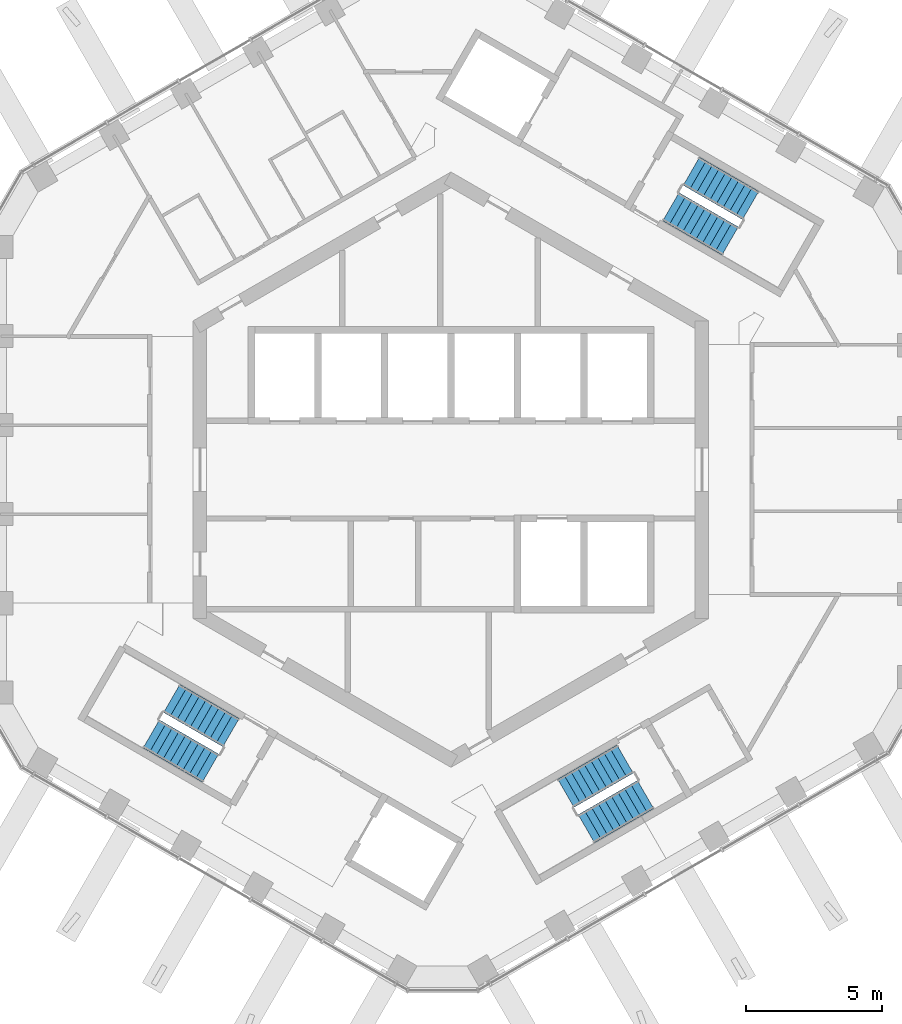
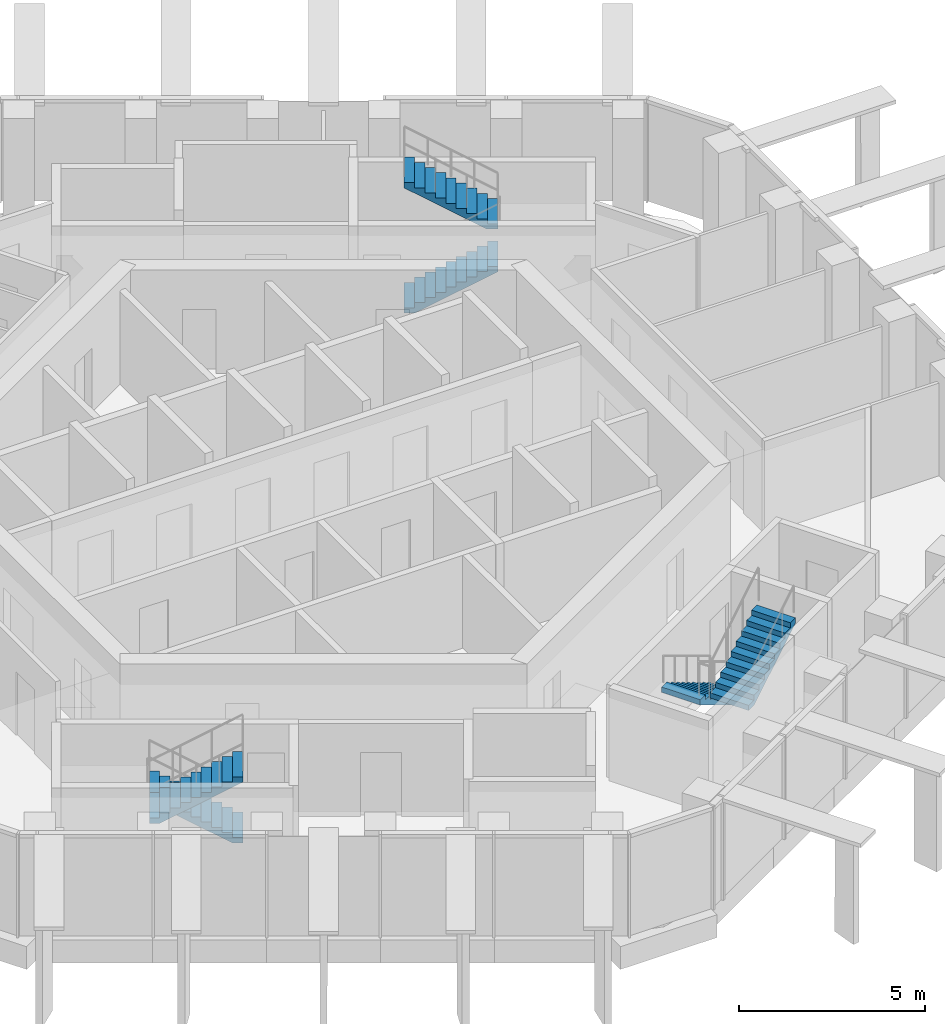
# One storey, part 15 of 19: 6 stair flights, 3 elements without a shape of their own.
"""IFC4 building model written with IfcOpenShell, lengths in metres."""

from ifc_helpers import new_model, si_unit, direction, frame, origin, place, context, subcontext, project, spatial, triangles, material, type_object, element, aggregate, save


model = new_model("IFC4")

# Units and contexts
model_context = context("Model", 3, precision=1e-05, world=origin(), true_north=direction((0.0, 1.0)))
body_context = subcontext(model_context, "Body", "Model", "MODEL_VIEW")
ifc_project = project(units=[si_unit("LENGTHUNIT", "METRE"), si_unit("AREAUNIT", "SQUARE_METRE"), si_unit("VOLUMEUNIT", "CUBIC_METRE"), si_unit("PLANEANGLEUNIT", "RADIAN"), si_unit("MASSUNIT", "GRAM", prefix="KILO")], contexts=[model_context])

# Site, building, storey
site_placement = place(None, origin())
site = spatial("IfcSite", under=ifc_project, at=site_placement, CompositionType="ELEMENT")
building_placement = place(site_placement, origin())
building = spatial("IfcBuilding", under=site, at=building_placement, Name="Ayvan Gate Tower", CompositionType="ELEMENT")
storey_placement = place(building_placement, frame((0.0, 0.0, 235.89990234375)))
storey = spatial("IfcBuildingStorey", under=building, at=storey_placement, Name="L63", CompositionType="ELEMENT", Elevation=235.89990234375)

# Stair, stair flights
ifc_material = material(Name="Concrete C40/50", Category="concrete")
stair_type = type_object("IfcStairType", Name="ST-EXIT", PredefinedType="HALF_TURN_STAIR", material=ifc_material)
stair_1_placement = place(storey_placement, origin())
stair_1 = element("IfcStair", 1, at=stair_1_placement, inside=storey, type_object=stair_type, Name="L63 Exit Stair S1", PredefinedType="HALF_TURN_STAIR")
stair_flight_type = type_object("IfcStairFlightType", Name="SFL-EXIT", PredefinedType="STRAIGHT", material=ifc_material)
stair_flight_1_placement = place(storey_placement, frame((8.106201171875, 9.690185546875, 0.0), z_axis=(0.0, 0.0, 1.0), x_axis=(0.866025403784, -0.5, 0.0)))
stair_flight_1 = element("IfcStairFlight", 2, at=stair_flight_1_placement, type_object=stair_flight_type, Name="STS1 flight 1", NumberOfRisers=10, NumberOfTreads=9, PredefinedType="STRAIGHT", RiserHeight=0.17, TreadLength=0.28, context=body_context, shape_type="Tessellation", body=[
    triangles([(0.288841, -0.599976, 0.0), (2.5205, -0.599976, 1.354936), (2.5205, -0.599976, 1.53), (2.24, -0.599976, 1.53), (2.24, -0.599976, 1.36), (1.96, -0.599976, 1.36), (1.96, -0.599976, 1.19), (1.68, -0.599976, 1.19), (1.68, -0.599976, 1.02), (1.4, -0.599976, 1.02), (1.4, -0.599976, 0.85), (1.12, -0.599976, 0.85), (1.12, -0.599976, 0.68), (0.84, -0.599976, 0.68), (0.84, -0.599976, 0.51), (0.56, -0.599976, 0.51), (0.56, -0.599976, 0.34), (0.28, -0.599976, 0.34), (0.28, -0.599976, 0.17), (-0.0005, -0.599976, 0.17), (-0.0005, -0.599976, 0.0), (0.288841, 0.0, 0.0), (2.5205, 0.0, 1.354936), (2.5205, 0.0, 1.53), (2.24, 0.0, 1.53), (2.24, 0.0, 1.36), (1.96, 0.0, 1.36), (1.96, 0.0, 1.19), (1.68, 0.0, 1.19), (1.68, 0.0, 1.02), (1.4, 0.0, 1.02), (1.4, 0.0, 0.85), (1.12, 0.0, 0.85), (1.12, 0.0, 0.68), (0.84, 0.0, 0.68), (0.84, 0.0, 0.51), (0.56, 0.0, 0.51), (0.56, 0.0, 0.34), (0.28, 0.0, 0.34), (0.28, 0.0, 0.17), (-0.0005, 0.0, 0.17), (-0.0005, 0.0, 0.0), (0.288841, 0.599976, 0.0), (2.5205, 0.599976, 1.354936), (2.5205, 0.599976, 1.53), (2.24, 0.599976, 1.53), (2.24, 0.599976, 1.36), (1.96, 0.599976, 1.36), (1.96, 0.599976, 1.19), (1.68, 0.599976, 1.19), (1.68, 0.599976, 1.02), (1.4, 0.599976, 1.02), (1.4, 0.599976, 0.85), (1.12, 0.599976, 0.85), (1.12, 0.599976, 0.68), (0.84, 0.599976, 0.68), (0.84, 0.599976, 0.51), (0.56, 0.599976, 0.51), (0.56, 0.599976, 0.34), (0.28, 0.599976, 0.34), (0.28, 0.599976, 0.17), (-0.0005, 0.599976, 0.17), (-0.0005, 0.599976, 0.0)], [[21, 1, 2], [63, 44, 43], [2, 3, 4], [44, 46, 45], [2, 4, 5], [44, 47, 46], [2, 5, 6], [44, 48, 47], [2, 6, 7], [44, 49, 48], [7, 8, 9], [49, 51, 50], [2, 7, 9], [44, 51, 49], [9, 10, 11], [51, 53, 52], [2, 9, 11], [44, 53, 51], [11, 12, 13], [53, 55, 54], [2, 11, 13], [44, 55, 53], [13, 14, 15], [55, 57, 56], [2, 13, 15], [44, 57, 55], [15, 16, 17], [57, 59, 58], [2, 15, 17], [44, 59, 57], [17, 18, 19], [59, 61, 60], [2, 17, 19], [44, 61, 59], [21, 2, 19], [63, 61, 44], [19, 20, 21], [61, 63, 62], [1, 22, 23], [1, 23, 2], [43, 23, 22], [43, 44, 23], [2, 23, 24], [2, 24, 3], [44, 24, 23], [44, 45, 24], [3, 24, 25], [3, 25, 4], [45, 25, 24], [45, 46, 25], [4, 25, 26], [4, 26, 5], [46, 26, 25], [46, 47, 26], [5, 26, 27], [5, 27, 6], [47, 27, 26], [47, 48, 27], [6, 27, 28], [6, 28, 7], [48, 28, 27], [48, 49, 28], [7, 28, 29], [7, 29, 8], [49, 29, 28], [49, 50, 29], [8, 29, 30], [8, 30, 9], [50, 30, 29], [50, 51, 30], [9, 30, 31], [9, 31, 10], [51, 31, 30], [51, 52, 31], [10, 31, 32], [10, 32, 11], [52, 32, 31], [52, 53, 32], [11, 32, 33], [11, 33, 12], [53, 33, 32], [53, 54, 33], [12, 33, 34], [12, 34, 13], [54, 34, 33], [54, 55, 34], [13, 34, 35], [13, 35, 14], [55, 35, 34], [55, 56, 35], [14, 35, 36], [14, 36, 15], [56, 36, 35], [56, 57, 36], [15, 36, 37], [15, 37, 16], [57, 37, 36], [57, 58, 37], [16, 37, 38], [16, 38, 17], [58, 38, 37], [58, 59, 38], [17, 38, 39], [17, 39, 18], [59, 39, 38], [59, 60, 39], [18, 39, 40], [18, 40, 19], [60, 40, 39], [60, 61, 40], [19, 40, 41], [19, 41, 20], [61, 41, 40], [61, 62, 41], [20, 41, 42], [20, 42, 21], [62, 42, 41], [62, 63, 42], [21, 42, 22], [21, 22, 1], [63, 22, 42], [63, 43, 22]], closed=True),
])
stair_flight_2_placement = place(storey_placement, frame((11.04345703125, 9.73779296875, 1.7001953125), z_axis=(0.0, 0.0, 1.0), x_axis=(-0.866025403784, 0.5, 0.0)))
stair_flight_2 = element("IfcStairFlight", 3, at=stair_flight_2_placement, type_object=stair_flight_type, Name="STS1 flight 2", NumberOfRisers=10, NumberOfTreads=9, PredefinedType="STRAIGHT", RiserHeight=0.17, TreadLength=0.28, context=body_context, shape_type="Tessellation", body=[
    triangles([(0.288841, -0.599976, 0.0), (2.5205, -0.599976, 1.354936), (2.5205, -0.599976, 1.53), (2.24, -0.599976, 1.53), (2.24, -0.599976, 1.36), (1.96, -0.599976, 1.36), (1.96, -0.599976, 1.19), (1.68, -0.599976, 1.19), (1.68, -0.599976, 1.02), (1.4, -0.599976, 1.02), (1.4, -0.599976, 0.85), (1.12, -0.599976, 0.85), (1.12, -0.599976, 0.68), (0.84, -0.599976, 0.68), (0.84, -0.599976, 0.51), (0.56, -0.599976, 0.51), (0.56, -0.599976, 0.34), (0.28, -0.599976, 0.34), (0.28, -0.599976, 0.17), (-0.0005, -0.599976, 0.17), (-0.0005, -0.599976, 0.0), (0.288841, 0.0, 0.0), (2.5205, 0.0, 1.354936), (2.5205, 0.0, 1.53), (2.24, 0.0, 1.53), (2.24, 0.0, 1.36), (1.96, 0.0, 1.36), (1.96, 0.0, 1.19), (1.68, 0.0, 1.19), (1.68, 0.0, 1.02), (1.4, 0.0, 1.02), (1.4, 0.0, 0.85), (1.12, 0.0, 0.85), (1.12, 0.0, 0.68), (0.84, 0.0, 0.68), (0.84, 0.0, 0.51), (0.56, 0.0, 0.51), (0.56, 0.0, 0.34), (0.28, 0.0, 0.34), (0.28, 0.0, 0.17), (-0.0005, 0.0, 0.17), (-0.0005, 0.0, 0.0), (0.288841, 0.599976, 0.0), (2.5205, 0.599976, 1.354936), (2.5205, 0.599976, 1.53), (2.24, 0.599976, 1.53), (2.24, 0.599976, 1.36), (1.96, 0.599976, 1.36), (1.96, 0.599976, 1.19), (1.68, 0.599976, 1.19), (1.68, 0.599976, 1.02), (1.4, 0.599976, 1.02), (1.4, 0.599976, 0.85), (1.12, 0.599976, 0.85), (1.12, 0.599976, 0.68), (0.84, 0.599976, 0.68), (0.84, 0.599976, 0.51), (0.56, 0.599976, 0.51), (0.56, 0.599976, 0.34), (0.28, 0.599976, 0.34), (0.28, 0.599976, 0.17), (-0.0005, 0.599976, 0.17), (-0.0005, 0.599976, 0.0)], [[21, 1, 2], [63, 44, 43], [2, 3, 4], [44, 46, 45], [2, 4, 5], [44, 47, 46], [2, 5, 6], [44, 48, 47], [2, 6, 7], [44, 49, 48], [7, 8, 9], [49, 51, 50], [2, 7, 9], [44, 51, 49], [9, 10, 11], [51, 53, 52], [2, 9, 11], [44, 53, 51], [11, 12, 13], [53, 55, 54], [2, 11, 13], [44, 55, 53], [13, 14, 15], [55, 57, 56], [2, 13, 15], [44, 57, 55], [15, 16, 17], [57, 59, 58], [2, 15, 17], [44, 59, 57], [17, 18, 19], [59, 61, 60], [2, 17, 19], [44, 61, 59], [21, 2, 19], [63, 61, 44], [19, 20, 21], [61, 63, 62], [1, 22, 23], [1, 23, 2], [43, 23, 22], [43, 44, 23], [2, 23, 24], [2, 24, 3], [44, 24, 23], [44, 45, 24], [3, 24, 25], [3, 25, 4], [45, 25, 24], [45, 46, 25], [4, 25, 26], [4, 26, 5], [46, 26, 25], [46, 47, 26], [5, 26, 27], [5, 27, 6], [47, 27, 26], [47, 48, 27], [6, 27, 28], [6, 28, 7], [48, 28, 27], [48, 49, 28], [7, 28, 29], [7, 29, 8], [49, 29, 28], [49, 50, 29], [8, 29, 30], [8, 30, 9], [50, 30, 29], [50, 51, 30], [9, 30, 31], [9, 31, 10], [51, 31, 30], [51, 52, 31], [10, 31, 32], [10, 32, 11], [52, 32, 31], [52, 53, 32], [11, 32, 33], [11, 33, 12], [53, 33, 32], [53, 54, 33], [12, 33, 34], [12, 34, 13], [54, 34, 33], [54, 55, 34], [13, 34, 35], [13, 35, 14], [55, 35, 34], [55, 56, 35], [14, 35, 36], [14, 36, 15], [56, 36, 35], [56, 57, 36], [15, 36, 37], [15, 37, 16], [57, 37, 36], [57, 58, 37], [16, 37, 38], [16, 38, 17], [58, 38, 37], [58, 59, 38], [17, 38, 39], [17, 39, 18], [59, 39, 38], [59, 60, 39], [18, 39, 40], [18, 40, 19], [60, 40, 39], [60, 61, 40], [19, 40, 41], [19, 41, 20], [61, 41, 40], [61, 62, 41], [20, 41, 42], [20, 42, 21], [62, 42, 41], [62, 63, 42], [21, 42, 22], [21, 22, 1], [63, 22, 42], [63, 43, 22]], closed=True),
])
aggregate(stair_1, [stair_flight_1, stair_flight_2])

stair_2_placement = place(storey_placement, origin())
stair_2 = element("IfcStair", 4, at=stair_2_placement, inside=storey, type_object=stair_type, Name="L63 Exit Stair S2", PredefinedType="HALF_TURN_STAIR")
stair_flight_3_placement = place(storey_placement, frame((-8.106201171875, -9.690185546875, 0.0), z_axis=(0.0, 0.0, 1.0), x_axis=(-0.866025403784, 0.5, 0.0)))
stair_flight_3 = element("IfcStairFlight", 5, at=stair_flight_3_placement, type_object=stair_flight_type, Name="STS2 flight 1", NumberOfRisers=10, NumberOfTreads=9, PredefinedType="STRAIGHT", RiserHeight=0.17, TreadLength=0.28, context=body_context, shape_type="Tessellation", body=[
    triangles([(0.288841, -0.599976, 0.0), (2.5205, -0.599976, 1.354936), (2.5205, -0.599976, 1.53), (2.24, -0.599976, 1.53), (2.24, -0.599976, 1.36), (1.96, -0.599976, 1.36), (1.96, -0.599976, 1.19), (1.68, -0.599976, 1.19), (1.68, -0.599976, 1.02), (1.4, -0.599976, 1.02), (1.4, -0.599976, 0.85), (1.12, -0.599976, 0.85), (1.12, -0.599976, 0.68), (0.84, -0.599976, 0.68), (0.84, -0.599976, 0.51), (0.56, -0.599976, 0.51), (0.56, -0.599976, 0.34), (0.28, -0.599976, 0.34), (0.28, -0.599976, 0.17), (-0.0005, -0.599976, 0.17), (-0.0005, -0.599976, 0.0), (0.288841, 0.0, 0.0), (2.5205, 0.0, 1.354936), (2.5205, 0.0, 1.53), (2.24, 0.0, 1.53), (2.24, 0.0, 1.36), (1.96, 0.0, 1.36), (1.96, 0.0, 1.19), (1.68, 0.0, 1.19), (1.68, 0.0, 1.02), (1.4, 0.0, 1.02), (1.4, 0.0, 0.85), (1.12, 0.0, 0.85), (1.12, 0.0, 0.68), (0.84, 0.0, 0.68), (0.84, 0.0, 0.51), (0.56, 0.0, 0.51), (0.56, 0.0, 0.34), (0.28, 0.0, 0.34), (0.28, 0.0, 0.17), (-0.0005, 0.0, 0.17), (-0.0005, 0.0, 0.0), (0.288841, 0.599976, 0.0), (2.5205, 0.599976, 1.354936), (2.5205, 0.599976, 1.53), (2.24, 0.599976, 1.53), (2.24, 0.599976, 1.36), (1.96, 0.599976, 1.36), (1.96, 0.599976, 1.19), (1.68, 0.599976, 1.19), (1.68, 0.599976, 1.02), (1.4, 0.599976, 1.02), (1.4, 0.599976, 0.85), (1.12, 0.599976, 0.85), (1.12, 0.599976, 0.68), (0.84, 0.599976, 0.68), (0.84, 0.599976, 0.51), (0.56, 0.599976, 0.51), (0.56, 0.599976, 0.34), (0.28, 0.599976, 0.34), (0.28, 0.599976, 0.17), (-0.0005, 0.599976, 0.17), (-0.0005, 0.599976, 0.0)], [[21, 1, 2], [63, 44, 43], [2, 3, 4], [44, 46, 45], [2, 4, 5], [44, 47, 46], [2, 5, 6], [44, 48, 47], [2, 6, 7], [44, 49, 48], [7, 8, 9], [49, 51, 50], [2, 7, 9], [44, 51, 49], [9, 10, 11], [51, 53, 52], [2, 9, 11], [44, 53, 51], [11, 12, 13], [53, 55, 54], [2, 11, 13], [44, 55, 53], [13, 14, 15], [55, 57, 56], [2, 13, 15], [44, 57, 55], [15, 16, 17], [57, 59, 58], [2, 15, 17], [44, 59, 57], [17, 18, 19], [59, 61, 60], [2, 17, 19], [44, 61, 59], [21, 2, 19], [63, 61, 44], [19, 20, 21], [61, 63, 62], [1, 22, 23], [1, 23, 2], [43, 23, 22], [43, 44, 23], [2, 23, 24], [2, 24, 3], [44, 24, 23], [44, 45, 24], [3, 24, 25], [3, 25, 4], [45, 25, 24], [45, 46, 25], [4, 25, 26], [4, 26, 5], [46, 26, 25], [46, 47, 26], [5, 26, 27], [5, 27, 6], [47, 27, 26], [47, 48, 27], [6, 27, 28], [6, 28, 7], [48, 28, 27], [48, 49, 28], [7, 28, 29], [7, 29, 8], [49, 29, 28], [49, 50, 29], [8, 29, 30], [8, 30, 9], [50, 30, 29], [50, 51, 30], [9, 30, 31], [9, 31, 10], [51, 31, 30], [51, 52, 31], [10, 31, 32], [10, 32, 11], [52, 32, 31], [52, 53, 32], [11, 32, 33], [11, 33, 12], [53, 33, 32], [53, 54, 33], [12, 33, 34], [12, 34, 13], [54, 34, 33], [54, 55, 34], [13, 34, 35], [13, 35, 14], [55, 35, 34], [55, 56, 35], [14, 35, 36], [14, 36, 15], [56, 36, 35], [56, 57, 36], [15, 36, 37], [15, 37, 16], [57, 37, 36], [57, 58, 37], [16, 37, 38], [16, 38, 17], [58, 38, 37], [58, 59, 38], [17, 38, 39], [17, 39, 18], [59, 39, 38], [59, 60, 39], [18, 39, 40], [18, 40, 19], [60, 40, 39], [60, 61, 40], [19, 40, 41], [19, 41, 20], [61, 41, 40], [61, 62, 41], [20, 41, 42], [20, 42, 21], [62, 42, 41], [62, 63, 42], [21, 42, 22], [21, 22, 1], [63, 22, 42], [63, 43, 22]], closed=True),
])
stair_flight_4_placement = place(storey_placement, frame((-11.04345703125, -9.73779296875, 1.7001953125), z_axis=(0.0, 0.0, 1.0), x_axis=(0.866025403784, -0.5, 0.0)))
stair_flight_4 = element("IfcStairFlight", 6, at=stair_flight_4_placement, type_object=stair_flight_type, Name="STS2 flight 2", NumberOfRisers=10, NumberOfTreads=9, PredefinedType="STRAIGHT", RiserHeight=0.17, TreadLength=0.28, context=body_context, shape_type="Tessellation", body=[
    triangles([(0.288841, -0.599976, 0.0), (2.5205, -0.599976, 1.354936), (2.5205, -0.599976, 1.53), (2.24, -0.599976, 1.53), (2.24, -0.599976, 1.36), (1.96, -0.599976, 1.36), (1.96, -0.599976, 1.19), (1.68, -0.599976, 1.19), (1.68, -0.599976, 1.02), (1.4, -0.599976, 1.02), (1.4, -0.599976, 0.85), (1.12, -0.599976, 0.85), (1.12, -0.599976, 0.68), (0.84, -0.599976, 0.68), (0.84, -0.599976, 0.51), (0.56, -0.599976, 0.51), (0.56, -0.599976, 0.34), (0.28, -0.599976, 0.34), (0.28, -0.599976, 0.17), (-0.0005, -0.599976, 0.17), (-0.0005, -0.599976, 0.0), (0.288841, 0.0, 0.0), (2.5205, 0.0, 1.354936), (2.5205, 0.0, 1.53), (2.24, 0.0, 1.53), (2.24, 0.0, 1.36), (1.96, 0.0, 1.36), (1.96, 0.0, 1.19), (1.68, 0.0, 1.19), (1.68, 0.0, 1.02), (1.4, 0.0, 1.02), (1.4, 0.0, 0.85), (1.12, 0.0, 0.85), (1.12, 0.0, 0.68), (0.84, 0.0, 0.68), (0.84, 0.0, 0.51), (0.56, 0.0, 0.51), (0.56, 0.0, 0.34), (0.28, 0.0, 0.34), (0.28, 0.0, 0.17), (-0.0005, 0.0, 0.17), (-0.0005, 0.0, 0.0), (0.288841, 0.599976, 0.0), (2.5205, 0.599976, 1.354936), (2.5205, 0.599976, 1.53), (2.24, 0.599976, 1.53), (2.24, 0.599976, 1.36), (1.96, 0.599976, 1.36), (1.96, 0.599976, 1.19), (1.68, 0.599976, 1.19), (1.68, 0.599976, 1.02), (1.4, 0.599976, 1.02), (1.4, 0.599976, 0.85), (1.12, 0.599976, 0.85), (1.12, 0.599976, 0.68), (0.84, 0.599976, 0.68), (0.84, 0.599976, 0.51), (0.56, 0.599976, 0.51), (0.56, 0.599976, 0.34), (0.28, 0.599976, 0.34), (0.28, 0.599976, 0.17), (-0.0005, 0.599976, 0.17), (-0.0005, 0.599976, 0.0)], [[21, 1, 2], [63, 44, 43], [2, 3, 4], [44, 46, 45], [2, 4, 5], [44, 47, 46], [2, 5, 6], [44, 48, 47], [2, 6, 7], [44, 49, 48], [7, 8, 9], [49, 51, 50], [2, 7, 9], [44, 51, 49], [9, 10, 11], [51, 53, 52], [2, 9, 11], [44, 53, 51], [11, 12, 13], [53, 55, 54], [2, 11, 13], [44, 55, 53], [13, 14, 15], [55, 57, 56], [2, 13, 15], [44, 57, 55], [15, 16, 17], [57, 59, 58], [2, 15, 17], [44, 59, 57], [17, 18, 19], [59, 61, 60], [2, 17, 19], [44, 61, 59], [21, 2, 19], [63, 61, 44], [19, 20, 21], [61, 63, 62], [1, 22, 23], [1, 23, 2], [43, 23, 22], [43, 44, 23], [2, 23, 24], [2, 24, 3], [44, 24, 23], [44, 45, 24], [3, 24, 25], [3, 25, 4], [45, 25, 24], [45, 46, 25], [4, 25, 26], [4, 26, 5], [46, 26, 25], [46, 47, 26], [5, 26, 27], [5, 27, 6], [47, 27, 26], [47, 48, 27], [6, 27, 28], [6, 28, 7], [48, 28, 27], [48, 49, 28], [7, 28, 29], [7, 29, 8], [49, 29, 28], [49, 50, 29], [8, 29, 30], [8, 30, 9], [50, 30, 29], [50, 51, 30], [9, 30, 31], [9, 31, 10], [51, 31, 30], [51, 52, 31], [10, 31, 32], [10, 32, 11], [52, 32, 31], [52, 53, 32], [11, 32, 33], [11, 33, 12], [53, 33, 32], [53, 54, 33], [12, 33, 34], [12, 34, 13], [54, 34, 33], [54, 55, 34], [13, 34, 35], [13, 35, 14], [55, 35, 34], [55, 56, 35], [14, 35, 36], [14, 36, 15], [56, 36, 35], [56, 57, 36], [15, 36, 37], [15, 37, 16], [57, 37, 36], [57, 58, 37], [16, 37, 38], [16, 38, 17], [58, 38, 37], [58, 59, 38], [17, 38, 39], [17, 39, 18], [59, 39, 38], [59, 60, 39], [18, 39, 40], [18, 40, 19], [60, 40, 39], [60, 61, 40], [19, 40, 41], [19, 41, 20], [61, 41, 40], [61, 62, 41], [20, 41, 42], [20, 42, 21], [62, 42, 41], [62, 63, 42], [21, 42, 22], [21, 22, 1], [63, 22, 42], [63, 43, 22]], closed=True),
])
aggregate(stair_2, [stair_flight_3, stair_flight_4])

stair_3_placement = place(storey_placement, origin())
stair_3 = element("IfcStair", 7, at=stair_3_placement, inside=storey, type_object=stair_type, Name="L63 Exit Stair S3", PredefinedType="HALF_TURN_STAIR")
stair_flight_5_placement = place(storey_placement, frame((6.417236328125, -10.665283203125, 0.0), z_axis=(0.0, 0.0, 1.0), x_axis=(-0.866025403784, -0.5, 0.0)))
stair_flight_5 = element("IfcStairFlight", 8, at=stair_flight_5_placement, type_object=stair_flight_type, Name="STS3 flight 1", NumberOfRisers=10, NumberOfTreads=9, PredefinedType="STRAIGHT", RiserHeight=0.17, TreadLength=0.28, context=body_context, shape_type="Tessellation", body=[
    triangles([(0.288841, -0.599976, 0.0), (2.5205, -0.599976, 1.354936), (2.5205, -0.599976, 1.53), (2.24, -0.599976, 1.53), (2.24, -0.599976, 1.36), (1.96, -0.599976, 1.36), (1.96, -0.599976, 1.19), (1.68, -0.599976, 1.19), (1.68, -0.599976, 1.02), (1.4, -0.599976, 1.02), (1.4, -0.599976, 0.85), (1.12, -0.599976, 0.85), (1.12, -0.599976, 0.68), (0.84, -0.599976, 0.68), (0.84, -0.599976, 0.51), (0.56, -0.599976, 0.51), (0.56, -0.599976, 0.34), (0.28, -0.599976, 0.34), (0.28, -0.599976, 0.17), (-0.0005, -0.599976, 0.17), (-0.0005, -0.599976, 0.0), (0.288841, 0.0, 0.0), (2.5205, 0.0, 1.354936), (2.5205, 0.0, 1.53), (2.24, 0.0, 1.53), (2.24, 0.0, 1.36), (1.96, 0.0, 1.36), (1.96, 0.0, 1.19), (1.68, 0.0, 1.19), (1.68, 0.0, 1.02), (1.4, 0.0, 1.02), (1.4, 0.0, 0.85), (1.12, 0.0, 0.85), (1.12, 0.0, 0.68), (0.84, 0.0, 0.68), (0.84, 0.0, 0.51), (0.56, 0.0, 0.51), (0.56, 0.0, 0.34), (0.28, 0.0, 0.34), (0.28, 0.0, 0.17), (-0.0005, 0.0, 0.17), (-0.0005, 0.0, 0.0), (0.288841, 0.599976, 0.0), (2.5205, 0.599976, 1.354936), (2.5205, 0.599976, 1.53), (2.24, 0.599976, 1.53), (2.24, 0.599976, 1.36), (1.96, 0.599976, 1.36), (1.96, 0.599976, 1.19), (1.68, 0.599976, 1.19), (1.68, 0.599976, 1.02), (1.4, 0.599976, 1.02), (1.4, 0.599976, 0.85), (1.12, 0.599976, 0.85), (1.12, 0.599976, 0.68), (0.84, 0.599976, 0.68), (0.84, 0.599976, 0.51), (0.56, 0.599976, 0.51), (0.56, 0.599976, 0.34), (0.28, 0.599976, 0.34), (0.28, 0.599976, 0.17), (-0.0005, 0.599976, 0.17), (-0.0005, 0.599976, 0.0)], [[21, 1, 2], [63, 44, 43], [2, 3, 4], [44, 46, 45], [2, 4, 5], [44, 47, 46], [2, 5, 6], [44, 48, 47], [2, 6, 7], [44, 49, 48], [7, 8, 9], [49, 51, 50], [2, 7, 9], [44, 51, 49], [9, 10, 11], [51, 53, 52], [2, 9, 11], [44, 53, 51], [11, 12, 13], [53, 55, 54], [2, 11, 13], [44, 55, 53], [13, 14, 15], [55, 57, 56], [2, 13, 15], [44, 57, 55], [15, 16, 17], [57, 59, 58], [2, 15, 17], [44, 59, 57], [17, 18, 19], [59, 61, 60], [2, 17, 19], [44, 61, 59], [21, 2, 19], [63, 61, 44], [19, 20, 21], [61, 63, 62], [1, 22, 23], [1, 23, 2], [43, 23, 22], [43, 44, 23], [2, 23, 24], [2, 24, 3], [44, 24, 23], [44, 45, 24], [3, 24, 25], [3, 25, 4], [45, 25, 24], [45, 46, 25], [4, 25, 26], [4, 26, 5], [46, 26, 25], [46, 47, 26], [5, 26, 27], [5, 27, 6], [47, 27, 26], [47, 48, 27], [6, 27, 28], [6, 28, 7], [48, 28, 27], [48, 49, 28], [7, 28, 29], [7, 29, 8], [49, 29, 28], [49, 50, 29], [8, 29, 30], [8, 30, 9], [50, 30, 29], [50, 51, 30], [9, 30, 31], [9, 31, 10], [51, 31, 30], [51, 52, 31], [10, 31, 32], [10, 32, 11], [52, 32, 31], [52, 53, 32], [11, 32, 33], [11, 33, 12], [53, 33, 32], [53, 54, 33], [12, 33, 34], [12, 34, 13], [54, 34, 33], [54, 55, 34], [13, 34, 35], [13, 35, 14], [55, 35, 34], [55, 56, 35], [14, 35, 36], [14, 36, 15], [56, 36, 35], [56, 57, 36], [15, 36, 37], [15, 37, 16], [57, 37, 36], [57, 58, 37], [16, 37, 38], [16, 38, 17], [58, 38, 37], [58, 59, 38], [17, 38, 39], [17, 39, 18], [59, 39, 38], [59, 60, 39], [18, 39, 40], [18, 40, 19], [60, 40, 39], [60, 61, 40], [19, 40, 41], [19, 41, 20], [61, 41, 40], [61, 62, 41], [20, 41, 42], [20, 42, 21], [62, 42, 41], [62, 63, 42], [21, 42, 22], [21, 22, 1], [63, 22, 42], [63, 43, 22]], closed=True),
])
stair_flight_6_placement = place(storey_placement, frame((4.989990234375, -13.23291015625, 1.7001953125), z_axis=(0.0, 0.0, 1.0), x_axis=(0.866025403784, 0.5, 0.0)))
stair_flight_6 = element("IfcStairFlight", 9, at=stair_flight_6_placement, type_object=stair_flight_type, Name="STS3 flight 2", NumberOfRisers=10, NumberOfTreads=9, PredefinedType="STRAIGHT", RiserHeight=0.17, TreadLength=0.28, context=body_context, shape_type="Tessellation", body=[
    triangles([(0.288841, -0.599976, 0.0), (2.5205, -0.599976, 1.354936), (2.5205, -0.599976, 1.53), (2.24, -0.599976, 1.53), (2.24, -0.599976, 1.36), (1.96, -0.599976, 1.36), (1.96, -0.599976, 1.19), (1.68, -0.599976, 1.19), (1.68, -0.599976, 1.02), (1.4, -0.599976, 1.02), (1.4, -0.599976, 0.85), (1.12, -0.599976, 0.85), (1.12, -0.599976, 0.68), (0.84, -0.599976, 0.68), (0.84, -0.599976, 0.51), (0.56, -0.599976, 0.51), (0.56, -0.599976, 0.34), (0.28, -0.599976, 0.34), (0.28, -0.599976, 0.17), (-0.0005, -0.599976, 0.17), (-0.0005, -0.599976, 0.0), (0.288841, 0.0, 0.0), (2.5205, 0.0, 1.354936), (2.5205, 0.0, 1.53), (2.24, 0.0, 1.53), (2.24, 0.0, 1.36), (1.96, 0.0, 1.36), (1.96, 0.0, 1.19), (1.68, 0.0, 1.19), (1.68, 0.0, 1.02), (1.4, 0.0, 1.02), (1.4, 0.0, 0.85), (1.12, 0.0, 0.85), (1.12, 0.0, 0.68), (0.84, 0.0, 0.68), (0.84, 0.0, 0.51), (0.56, 0.0, 0.51), (0.56, 0.0, 0.34), (0.28, 0.0, 0.34), (0.28, 0.0, 0.17), (-0.0005, 0.0, 0.17), (-0.0005, 0.0, 0.0), (0.288841, 0.599976, 0.0), (2.5205, 0.599976, 1.354936), (2.5205, 0.599976, 1.53), (2.24, 0.599976, 1.53), (2.24, 0.599976, 1.36), (1.96, 0.599976, 1.36), (1.96, 0.599976, 1.19), (1.68, 0.599976, 1.19), (1.68, 0.599976, 1.02), (1.4, 0.599976, 1.02), (1.4, 0.599976, 0.85), (1.12, 0.599976, 0.85), (1.12, 0.599976, 0.68), (0.84, 0.599976, 0.68), (0.84, 0.599976, 0.51), (0.56, 0.599976, 0.51), (0.56, 0.599976, 0.34), (0.28, 0.599976, 0.34), (0.28, 0.599976, 0.17), (-0.0005, 0.599976, 0.17), (-0.0005, 0.599976, 0.0)], [[21, 1, 2], [63, 44, 43], [2, 3, 4], [44, 46, 45], [2, 4, 5], [44, 47, 46], [2, 5, 6], [44, 48, 47], [2, 6, 7], [44, 49, 48], [7, 8, 9], [49, 51, 50], [2, 7, 9], [44, 51, 49], [9, 10, 11], [51, 53, 52], [2, 9, 11], [44, 53, 51], [11, 12, 13], [53, 55, 54], [2, 11, 13], [44, 55, 53], [13, 14, 15], [55, 57, 56], [2, 13, 15], [44, 57, 55], [15, 16, 17], [57, 59, 58], [2, 15, 17], [44, 59, 57], [17, 18, 19], [59, 61, 60], [2, 17, 19], [44, 61, 59], [21, 2, 19], [63, 61, 44], [19, 20, 21], [61, 63, 62], [1, 22, 23], [1, 23, 2], [43, 23, 22], [43, 44, 23], [2, 23, 24], [2, 24, 3], [44, 24, 23], [44, 45, 24], [3, 24, 25], [3, 25, 4], [45, 25, 24], [45, 46, 25], [4, 25, 26], [4, 26, 5], [46, 26, 25], [46, 47, 26], [5, 26, 27], [5, 27, 6], [47, 27, 26], [47, 48, 27], [6, 27, 28], [6, 28, 7], [48, 28, 27], [48, 49, 28], [7, 28, 29], [7, 29, 8], [49, 29, 28], [49, 50, 29], [8, 29, 30], [8, 30, 9], [50, 30, 29], [50, 51, 30], [9, 30, 31], [9, 31, 10], [51, 31, 30], [51, 52, 31], [10, 31, 32], [10, 32, 11], [52, 32, 31], [52, 53, 32], [11, 32, 33], [11, 33, 12], [53, 33, 32], [53, 54, 33], [12, 33, 34], [12, 34, 13], [54, 34, 33], [54, 55, 34], [13, 34, 35], [13, 35, 14], [55, 35, 34], [55, 56, 35], [14, 35, 36], [14, 36, 15], [56, 36, 35], [56, 57, 36], [15, 36, 37], [15, 37, 16], [57, 37, 36], [57, 58, 37], [16, 37, 38], [16, 38, 17], [58, 38, 37], [58, 59, 38], [17, 38, 39], [17, 39, 18], [59, 39, 38], [59, 60, 39], [18, 39, 40], [18, 40, 19], [60, 40, 39], [60, 61, 40], [19, 40, 41], [19, 41, 20], [61, 41, 40], [61, 62, 41], [20, 41, 42], [20, 42, 21], [62, 42, 41], [62, 63, 42], [21, 42, 22], [21, 22, 1], [63, 22, 42], [63, 43, 22]], closed=True),
])
aggregate(stair_3, [stair_flight_5, stair_flight_6])

save(model, "model.ifc")
